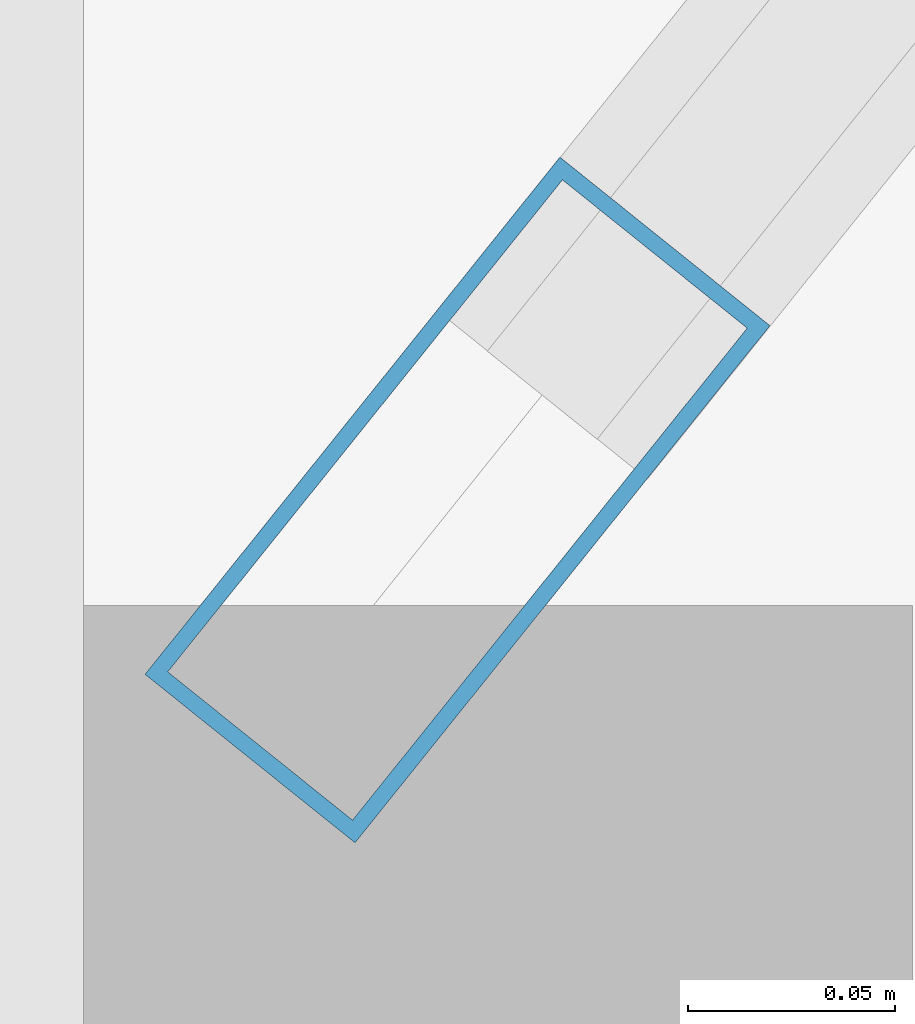
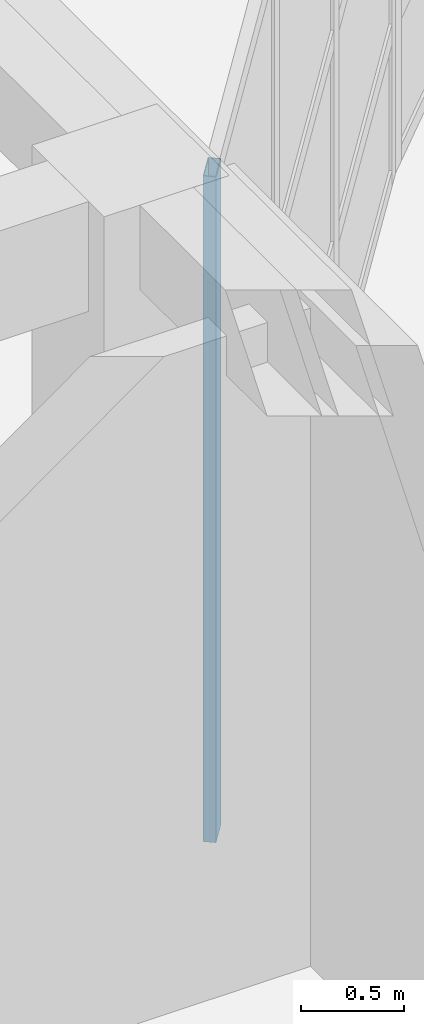
# One storey, part 36 of 114: 1 member, 1 element without a shape of its own.
"""IFC4 building model written with IfcOpenShell, lengths in metres."""

import ifcopenshell
import ifcopenshell.guid

model = None  # the IFC model being written
_history = None  # IfcOwnerHistory: only IFC2X3 demands one
_inside = {}  # id of a spatial element -> (the spatial element, [elements in it])
_under = {}  # id of a project, library or spatial element -> (it, [spatial elements below it])
_declared = {}  # id of a project -> (the project, [libraries it declares])
_typed = {}  # id of a type object -> (the type object, [elements of that type])
_made_of = {}  # id of a material, layer set ... -> (it, [elements and type objects made of it])


def new_model(schema):
    """Start an empty IFC model of exactly this schema.

    Asked for "IFC4X3", IfcOpenShell would pick the latest addendum, in which some entities
    have other attributes; the version numbers below select the first issue.
    IFC2X3 requires an IfcOwnerHistory on every rooted entity: one is made here for all.
    """
    global model, _history
    if schema == "IFC4X3":
        model = ifcopenshell.file(schema_version=(4, 3, 0, 0))
    else:
        model = ifcopenshell.file(schema=schema)
    _inside.clear()
    _under.clear()
    _declared.clear()
    _typed.clear()
    _made_of.clear()
    _history = None
    if model.schema == "IFC2X3":
        org = make("IfcOrganization", Name="unknown")
        user = make(
            "IfcPersonAndOrganization",
            ThePerson=make("IfcPerson", FamilyName="unknown"),
            TheOrganization=org,
        )
        app = make(
            "IfcApplication",
            ApplicationDeveloper=org,
            Version="unknown",
            ApplicationFullName="unknown",
            ApplicationIdentifier="unknown",
        )
        _history = make(
            "IfcOwnerHistory",
            OwningUser=user,
            OwningApplication=app,
            ChangeAction="ADDED",
            CreationDate=0,
        )
    return model


def make(cls, **values):
    """One entity of the class cls with the attributes given. An attribute that is None is left unset."""
    return model.create_entity(
        cls, **{name: value for name, value in values.items() if value is not None}
    )


def rooted(cls, **values):
    """An entity with a GlobalId (a new one), such as an element, a storey or a relation."""
    return make(cls, GlobalId=ifcopenshell.guid.new(), OwnerHistory=_history, **values)


def si_unit(unit_type, name, prefix=None):
    """IfcSIUnit, for example si_unit("LENGTHUNIT", "METRE", prefix="MILLI")."""
    return make("IfcSIUnit", UnitType=unit_type, Prefix=prefix, Name=name)


def assignment(units):
    """IfcUnitAssignment: the units of a project."""
    return None if units is None else make("IfcUnitAssignment", Units=units)


def point(xyz):
    """IfcCartesianPoint."""
    return None if xyz is None else make("IfcCartesianPoint", Coordinates=xyz)


def direction(xyz):
    """IfcDirection."""
    return None if xyz is None else make("IfcDirection", DirectionRatios=xyz)


def frame(location, z_axis=None, x_axis=None):
    """IfcAxis2Placement3D, a coordinate frame: its origin and axes. An axis left out is left unset."""
    return make(
        "IfcAxis2Placement3D",
        Location=point(location),
        Axis=direction(z_axis),
        RefDirection=direction(x_axis),
    )


def frame_2d(location, x_axis=None):
    """IfcAxis2Placement2D, a coordinate frame in the plane: its origin and x axis."""
    return make(
        "IfcAxis2Placement2D", Location=point(location), RefDirection=direction(x_axis)
    )


def origin():
    """The frame at (0, 0, 0) with its axes left unset."""
    return frame((0.0, 0.0, 0.0))


def origin_2d():
    """The frame at (0, 0) in the plane with its x axis left unset."""
    return frame_2d((0.0, 0.0))


def place(relative_to, where):
    """IfcLocalPlacement: puts the frame where relative to a parent placement (None: the world)."""
    return make(
        "IfcLocalPlacement", PlacementRelTo=relative_to, RelativePlacement=where
    )


def context(
    kind, dimensions, precision=None, world=None, true_north=None, identifier=None
):
    """IfcGeometricRepresentationContext, for example the 3D "Model" context."""
    return make(
        "IfcGeometricRepresentationContext",
        ContextIdentifier=identifier,
        ContextType=kind,
        CoordinateSpaceDimension=dimensions,
        Precision=precision,
        WorldCoordinateSystem=world,
        TrueNorth=true_north,
    )


def subcontext(parent, identifier, kind, view, scale=None):
    """IfcGeometricRepresentationSubContext, for example "Body" below "Model"."""
    return make(
        "IfcGeometricRepresentationSubContext",
        ContextIdentifier=identifier,
        ContextType=kind,
        ParentContext=parent,
        TargetScale=scale,
        TargetView=view,
    )


def project(units=None, contexts=None):
    """IfcProject with its units and contexts."""
    return rooted(
        "IfcProject",
        Name="project",
        RepresentationContexts=contexts,
        UnitsInContext=assignment(units),
    )


def spatial(cls, under=None, at=None, **own):
    """A site, building, storey or space (cls), placed at a placement, below another one or the project."""
    s = rooted(cls, ObjectPlacement=at, **own)
    if under is not None:
        _under.setdefault(under.id(), (under, []))[1].append(s)
    return s


def profile(cls, at=None, kind="AREA", **sizes):
    """A parametric profile (cls). Its sizes go by their IFC names, for example OverallWidth=200.0."""
    return make(cls, ProfileType=kind, Position=at, **sizes)


def hollow_rectangle(**sizes):
    """IfcRectangleHollowProfileDef."""
    return profile("IfcRectangleHollowProfileDef", **sizes)


def extrude(swept, where, along, depth):
    """IfcExtrudedAreaSolid: the profile swept, set in the frame where, extruded along a direction by depth."""
    return make(
        "IfcExtrudedAreaSolid",
        SweptArea=swept,
        Position=where,
        ExtrudedDirection=direction(along),
        Depth=depth,
    )


def shape(context_of_items, identifier, shape_type, items):
    """IfcShapeRepresentation: the items that make up one representation, for example the "Body"."""
    return make(
        "IfcShapeRepresentation",
        ContextOfItems=context_of_items,
        RepresentationIdentifier=identifier,
        RepresentationType=shape_type,
        Items=items,
    )


def material(Name=None, Category=None):
    """IfcMaterial."""
    return make("IfcMaterial", Name=Name, Category=Category)


def layer(
    of_material, thickness, ventilated=None, Name=None, Category=None, Priority=None
):
    """IfcMaterialLayer: one layer of a wall or slab, of a material (None: an air gap)."""
    return make(
        "IfcMaterialLayer",
        Material=of_material,
        LayerThickness=thickness,
        IsVentilated=ventilated,
        Name=Name,
        Category=Category,
        Priority=Priority,
    )


def layer_set(layers, Name=None):
    """IfcMaterialLayerSet."""
    return make("IfcMaterialLayerSet", MaterialLayers=layers, LayerSetName=Name)


def material_profile(
    of_material, cross_section, Name=None, Category=None, Priority=None
):
    """IfcMaterialProfile: a cross section and its material."""
    return make(
        "IfcMaterialProfile",
        Name=Name,
        Material=of_material,
        Profile=cross_section,
        Priority=Priority,
        Category=Category,
    )


def profile_set(profiles, Name=None, composite=None):
    """IfcMaterialProfileSet."""
    return make(
        "IfcMaterialProfileSet",
        Name=Name,
        MaterialProfiles=profiles,
        CompositeProfile=composite,
    )


def made_of(thing, what):
    """Note that an element or type object is made of a material, layer set ...; save() writes the relation."""
    if what is not None:
        _made_of.setdefault(what.id(), (what, []))[1].append(thing)
    return thing


def type_object(cls, material=None, **own):
    """A type object (cls), such as IfcWallType, which elements share."""
    return made_of(rooted(cls, **own), material)


def element(
    cls,
    number,
    at=None,
    inside=None,
    cuts=None,
    type_object=None,
    material=None,
    context=None,
    identifier="Body",
    shape_type=None,
    held_by="IfcProductDefinitionShape",
    body=None,
    shapes=None,
    **own,
):
    """One element of the class cls, such as IfcWall. Its Tag is "e" and its number.

    at: its placement. inside: the storey or other place that contains it. cuts: it is an
    opening in that element (IfcRelVoidsElement). A single representation is given by context,
    identifier, shape_type and body (its items); several are given by shapes. held_by: the class
    of the entity that holds the representations. save() writes the other relations.
    """
    e = rooted(cls, Tag="e%d" % number, ObjectPlacement=at, **own)
    if body is not None:
        shapes = [shape(context, identifier, shape_type, body)]
    if shapes is not None:
        e.Representation = make(held_by, Representations=shapes)
    if inside is not None:
        _inside.setdefault(inside.id(), (inside, []))[1].append(e)
    if cuts is not None:
        rooted(
            "IfcRelVoidsElement", RelatingBuildingElement=cuts, RelatedOpeningElement=e
        )
    if type_object is not None:
        _typed.setdefault(type_object.id(), (type_object, []))[1].append(e)
    return made_of(e, material)


def aggregate(whole, parts):
    """IfcRelAggregates: a whole, such as a stair, and the parts it consists of."""
    return rooted("IfcRelAggregates", RelatingObject=whole, RelatedObjects=parts)


def save(model, path):
    """Write the relations noted so far, then the file.

    IfcRelAggregates (storeys below a building ...), IfcRelContainedInSpatialStructure (elements
    in a storey), IfcRelDefinesByType, IfcRelAssociatesMaterial and IfcRelDeclares: one each for
    every whole, place, type object, material and project.
    """
    for whole, parts in _under.values():
        aggregate(whole, parts)
    for where, things in _inside.values():
        rooted(
            "IfcRelContainedInSpatialStructure",
            RelatedElements=things,
            RelatingStructure=where,
        )
    for kind, things in _typed.values():
        rooted("IfcRelDefinesByType", RelatedObjects=things, RelatingType=kind)
    for what, things in _made_of.values():
        rooted("IfcRelAssociatesMaterial", RelatedObjects=things, RelatingMaterial=what)
    for by, libraries in _declared.values():
        rooted("IfcRelDeclares", RelatingContext=by, RelatedDefinitions=libraries)
    model.write(path)


model = new_model("IFC4")

# Units and contexts
model_context = context("Model", 3, precision=1e-05, world=origin(), true_north=direction((0.0, 1.0)))
body_context = subcontext(model_context, "Body", "Model", "MODEL_VIEW")
ifc_project = project(units=[si_unit("LENGTHUNIT", "METRE"), si_unit("AREAUNIT", "SQUARE_METRE"), si_unit("VOLUMEUNIT", "CUBIC_METRE"), si_unit("PLANEANGLEUNIT", "RADIAN"), si_unit("MASSUNIT", "GRAM", prefix="KILO")], contexts=[model_context])

# Site, building, storey
site_placement = place(None, origin())
site = spatial("IfcSite", under=ifc_project, at=site_placement, CompositionType="ELEMENT")
building_placement = place(site_placement, origin())
building = spatial("IfcBuilding", under=site, at=building_placement, Name="Keldmere Railside Commons", CompositionType="ELEMENT")
storey_placement = place(building_placement, origin())
storey = spatial("IfcBuildingStorey", under=building, at=storey_placement, Name="L00", CompositionType="ELEMENT", Elevation=0.0)

# Curtain wall, member
ifc_material = material(Name="Thermally Broken Aluminium", Category="aluminium")
ifc_layer = layer(ifc_material, 0.159912109375, Name="Residential Ground Entrance Lobby CW 4000x3600")
ifc_layer_set = layer_set([ifc_layer], Name="Thermally Broken Aluminium")
curtain_wall_type = type_object("IfcCurtainWallType", Name="Residential Ground Entrance Lobby CW 4000x3600", PredefinedType="NOTDEFINED", material=ifc_layer_set)
curtain_wall_placement = place(storey_placement, origin())
curtain_wall = element("IfcCurtainWall", 1, at=curtain_wall_placement, inside=storey, type_object=curtain_wall_type, Name="CW-10 CW-L00-085", PredefinedType="NOTDEFINED")
ifc_material_profile = material_profile(ifc_material, hollow_rectangle(XDim=0.06494140625, YDim=0.159912109375, WallThickness=0.00390625, at=origin_2d()), Name="ALU-MULL-65x160")
ifc_profile_set = profile_set([ifc_material_profile], Name="Thermally Broken Aluminium")
member_type = type_object("IfcMemberType", Name="Unitised Curtain Wall Mullion 65x160", PredefinedType="MULLION", material=ifc_profile_set)
member_placement = place(storey_placement, frame((120.020263671875, 88.025390625, 0.0), z_axis=(0.0, 0.0, 1.0), x_axis=(0.780009172323, -0.625768080915, 0.0)))
member = element("IfcMember", 2, at=member_placement, type_object=member_type, Name="CW-10 mullion 4", PredefinedType="MULLION", context=body_context, shape_type="SweptSolid", body=[
    extrude(hollow_rectangle(XDim=0.06494140625, YDim=0.159912109375, WallThickness=0.00390625, at=origin_2d()), origin(), (0.0, 0.0, 1.0), 3.93994140625),
])
aggregate(curtain_wall, [member])

save(model, "model.ifc")
